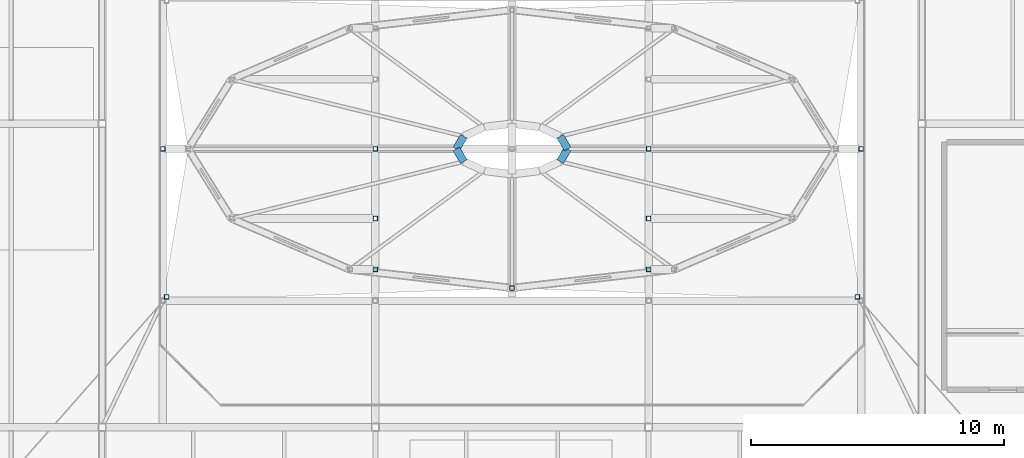
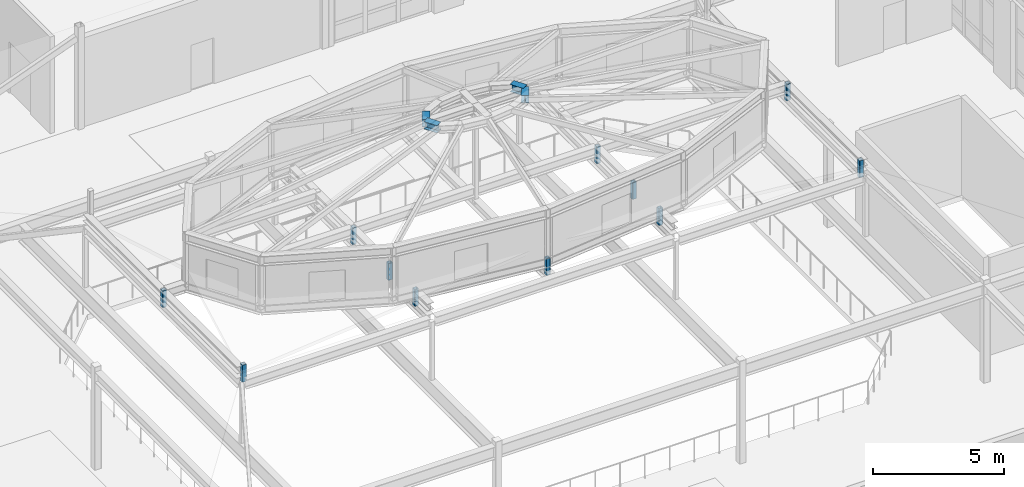
# One storey, part 56 of 86: 11 members, 4 beams.
"""IFC4 building model written with IfcOpenShell, lengths in metres."""

from ifc_helpers import new_model, si_unit, direction, frame, origin, origin_2d, place, context, subcontext, project, spatial, hollow_rectangle, i_section, extrude, material, material_profile, profile_set, type_object, element, save


model = new_model("IFC4")

# Units and contexts
model_context = context("Model", 3, precision=1e-05, world=origin(), true_north=direction((0.0, 1.0)))
body_context = subcontext(model_context, "Body", "Model", "MODEL_VIEW")
ifc_project = project(units=[si_unit("LENGTHUNIT", "METRE"), si_unit("AREAUNIT", "SQUARE_METRE"), si_unit("VOLUMEUNIT", "CUBIC_METRE"), si_unit("PLANEANGLEUNIT", "RADIAN"), si_unit("MASSUNIT", "GRAM", prefix="KILO")], contexts=[model_context])

# Site, building, storey
site_placement = place(None, origin())
site = spatial("IfcSite", under=ifc_project, at=site_placement, CompositionType="ELEMENT")
building_placement = place(site_placement, origin())
building = spatial("IfcBuilding", under=site, at=building_placement, Name="Tasgan Crest Museum", CompositionType="ELEMENT")
storey_placement = place(building_placement, frame((0.0, 0.0, 24.0)))
storey = spatial("IfcBuildingStorey", under=building, at=storey_placement, Name="L04", CompositionType="ELEMENT", Elevation=24.0)

# Beams
ifc_material_1 = material(Name="Steel S355J2", Category="steel")
ifc_material_profile_1 = material_profile(ifc_material_1, i_section(OverallWidth=0.300048828125, OverallDepth=0.35009765625, WebThickness=0.009521484375, FlangeThickness=0.017578125, FilletRadius=0.027099609375, at=origin_2d()), Name="HEA 360")
ifc_profile_set_1 = profile_set([ifc_material_profile_1], Name="Steel S355J2")
beam_type = type_object("IfcBeamType", Name="BM-G-HEA360", PredefinedType="BEAM", material=ifc_profile_set_1)
for number, where, z_axis, x_axis, name in (
    (1, (83.199951171875, 61.0, 11.800048828125), (-0.507736911932, 0.861512175341, 0.0), (-0.861512175341, -0.507736911932, 0.0), "Rotunda oculus compression ring 1"),
    (2, (79.0947265625, 61.5, 11.800048828125), (-0.507736911932, -0.861512175341, 0.0), (0.861512175341, -0.507736911932, 0.0), "Rotunda oculus compression ring 6"),
    (3, (78.800048828125, 61.0, 11.800048828125), (0.507736911932, -0.861512175341, 0.0), (0.861512175341, 0.507736911932, 0.0), "Rotunda oculus compression ring 7"),
    (4, (82.9052734375, 60.5, 11.800048828125), (0.507736911932, 0.861512175341, 0.0), (-0.861512175341, 0.507736911932, 0.0), "Rotunda oculus compression ring 12"),
):
    element("IfcBeam", number, at=place(storey_placement, frame(where, z_axis=z_axis, x_axis=x_axis)), inside=storey, type_object=beam_type, Name=name, PredefinedType="BEAM", context=body_context, shape_type="SweptSolid", body=[
        extrude(i_section(OverallWidth=0.300048828125, OverallDepth=0.35009765625, WebThickness=0.009521484375, FlangeThickness=0.017578125, FilletRadius=0.027099609375, at=origin_2d()), origin(), (0.0, 0.0, 1.0), 0.580322265625),
    ])

# Members
ifc_material_2 = material(Name="Steel S355K2", Category="steel")
ifc_material_profile_2 = material_profile(ifc_material_2, hollow_rectangle(XDim=0.179931640625, YDim=0.179931640625, WallThickness=0.010009765625, InnerFilletRadius=0.010009765625, OuterFilletRadius=0.02001953125, at=origin_2d()), Name="SHS 180x180x10")
ifc_profile_set_2 = profile_set([ifc_material_profile_2], Name="Steel S355K2")
member_type = type_object("IfcMemberType", Name="TR-SAW-POST", PredefinedType="POST", material=ifc_profile_set_2)
for number, where, z_axis, x_axis, name in (
    (5, (67.35009765625, 55.14990234375, 7.320068359375), (0.0, 0.0, 1.0), (1.0, 0.0, 0.0), "Lantern oculus post SW"),
    (6, (94.64990234375, 55.14990234375, 7.320068359375), (0.0, 0.0, 1.0), (1.0, 0.0, 0.0), "Lantern oculus post SE"),
):
    element("IfcMember", number, at=place(storey_placement, frame(where, z_axis=z_axis, x_axis=x_axis)), inside=storey, type_object=member_type, Name=name, PredefinedType="POST", context=body_context, shape_type="SweptSolid", body=[
        extrude(hollow_rectangle(XDim=0.179931640625, YDim=0.179931640625, WallThickness=0.010009765625, InnerFilletRadius=0.010009765625, OuterFilletRadius=0.02001953125, at=origin_2d()), origin(), (0.0, 0.0, 1.0), 0.800048828125),
    ])
for number, where, z_axis, x_axis, name in (
    (7, (75.60009765625, 61.0, 7.320068359375), (0.0, 0.0, 1.0), (1.0, 0.0, 0.0), "Rotunda spine post X=75.6"),
    (8, (86.39990234375, 61.0, 7.320068359375), (0.0, 0.0, 1.0), (1.0, 0.0, 0.0), "Rotunda spine post X=86.4"),
    (9, (94.800048828125, 61.0, 7.320068359375), (0.0, 0.0, 1.0), (1.0, 0.0, 0.0), "Rotunda collar support post 1"),
    (10, (67.199951171875, 61.0, 7.320068359375), (0.0, 0.0, 1.0), (1.0, 0.0, 0.0), "Rotunda collar support post 7"),
    (11, (75.60009765625, 58.25, 7.320068359375), (0.0, 0.0, 1.0), (1.0, 0.0, 0.0), "Rotunda collar support post 8"),
    (12, (75.60009765625, 56.23681640625, 7.320068359375), (0.0, 0.0, 1.0), (1.0, 0.0, 0.0), "Rotunda collar support post 9"),
    (13, (81.0, 55.5, 7.320068359375), (0.0, 0.0, 1.0), (1.0, 0.0, 0.0), "Rotunda collar support post 10"),
    (14, (86.39990234375, 56.23681640625, 7.320068359375), (0.0, 0.0, 1.0), (1.0, 0.0, 0.0), "Rotunda collar support post 11"),
    (15, (86.39990234375, 58.25, 7.320068359375), (0.0, 0.0, 1.0), (1.0, 0.0, 0.0), "Rotunda collar support post 12"),
):
    element("IfcMember", number, at=place(storey_placement, frame(where, z_axis=z_axis, x_axis=x_axis)), inside=storey, type_object=member_type, Name=name, PredefinedType="POST", context=body_context, shape_type="SweptSolid", body=[
        extrude(hollow_rectangle(XDim=0.179931640625, YDim=0.179931640625, WallThickness=0.010009765625, InnerFilletRadius=0.010009765625, OuterFilletRadius=0.02001953125, at=origin_2d()), origin(), (0.0, 0.0, 1.0), 0.780029296875),
    ])

save(model, "model.ifc")
